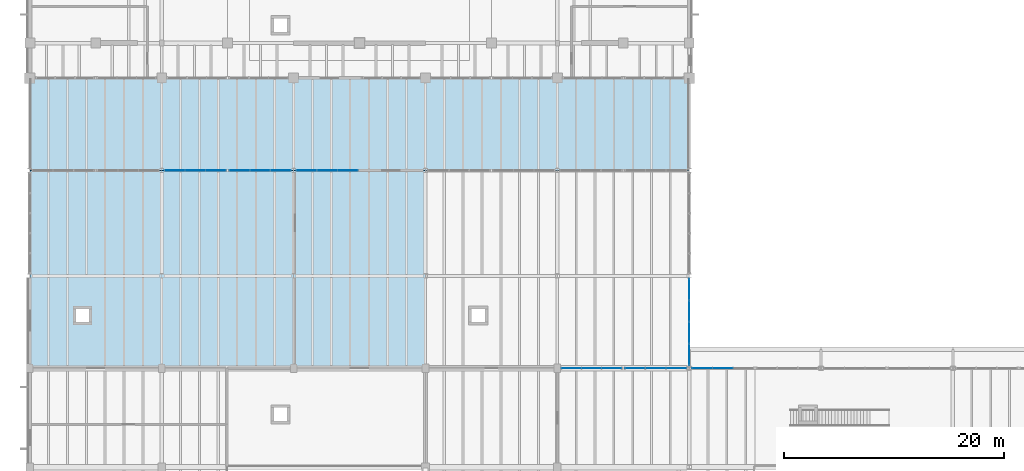
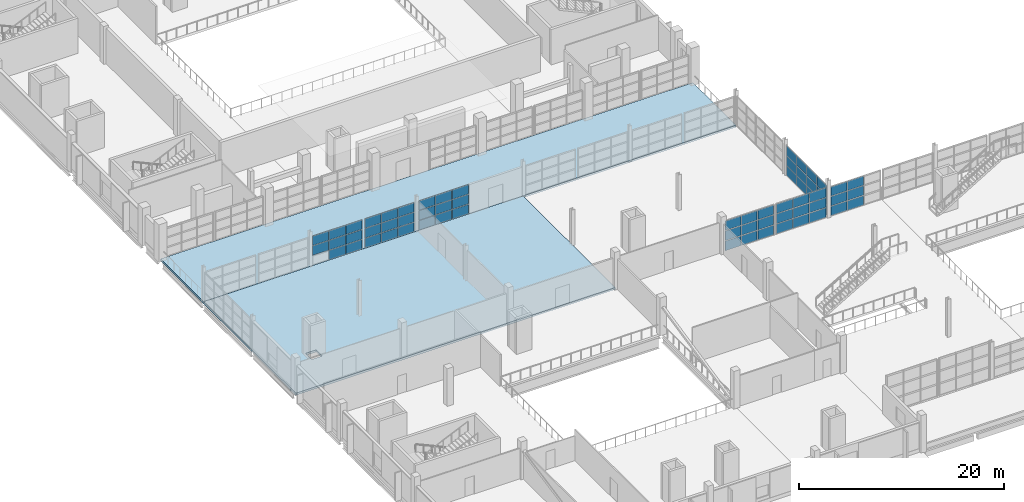
# One storey, part 76 of 114: 62 plates, 2 slabs, 7 elements without a shape of their own.
"""IFC4 building model written with IfcOpenShell, lengths in metres."""

import ifcopenshell
import ifcopenshell.guid

model = None  # the IFC model being written
_history = None  # IfcOwnerHistory: only IFC2X3 demands one
_inside = {}  # id of a spatial element -> (the spatial element, [elements in it])
_under = {}  # id of a project, library or spatial element -> (it, [spatial elements below it])
_declared = {}  # id of a project -> (the project, [libraries it declares])
_typed = {}  # id of a type object -> (the type object, [elements of that type])
_made_of = {}  # id of a material, layer set ... -> (it, [elements and type objects made of it])


def new_model(schema):
    """Start an empty IFC model of exactly this schema.

    Asked for "IFC4X3", IfcOpenShell would pick the latest addendum, in which some entities
    have other attributes; the version numbers below select the first issue.
    IFC2X3 requires an IfcOwnerHistory on every rooted entity: one is made here for all.
    """
    global model, _history
    if schema == "IFC4X3":
        model = ifcopenshell.file(schema_version=(4, 3, 0, 0))
    else:
        model = ifcopenshell.file(schema=schema)
    _inside.clear()
    _under.clear()
    _declared.clear()
    _typed.clear()
    _made_of.clear()
    _history = None
    if model.schema == "IFC2X3":
        org = make("IfcOrganization", Name="unknown")
        user = make(
            "IfcPersonAndOrganization",
            ThePerson=make("IfcPerson", FamilyName="unknown"),
            TheOrganization=org,
        )
        app = make(
            "IfcApplication",
            ApplicationDeveloper=org,
            Version="unknown",
            ApplicationFullName="unknown",
            ApplicationIdentifier="unknown",
        )
        _history = make(
            "IfcOwnerHistory",
            OwningUser=user,
            OwningApplication=app,
            ChangeAction="ADDED",
            CreationDate=0,
        )
    return model


def make(cls, **values):
    """One entity of the class cls with the attributes given. An attribute that is None is left unset."""
    return model.create_entity(
        cls, **{name: value for name, value in values.items() if value is not None}
    )


def rooted(cls, **values):
    """An entity with a GlobalId (a new one), such as an element, a storey or a relation."""
    return make(cls, GlobalId=ifcopenshell.guid.new(), OwnerHistory=_history, **values)


def si_unit(unit_type, name, prefix=None):
    """IfcSIUnit, for example si_unit("LENGTHUNIT", "METRE", prefix="MILLI")."""
    return make("IfcSIUnit", UnitType=unit_type, Prefix=prefix, Name=name)


def assignment(units):
    """IfcUnitAssignment: the units of a project."""
    return None if units is None else make("IfcUnitAssignment", Units=units)


def point(xyz):
    """IfcCartesianPoint."""
    return None if xyz is None else make("IfcCartesianPoint", Coordinates=xyz)


def direction(xyz):
    """IfcDirection."""
    return None if xyz is None else make("IfcDirection", DirectionRatios=xyz)


def frame(location, z_axis=None, x_axis=None):
    """IfcAxis2Placement3D, a coordinate frame: its origin and axes. An axis left out is left unset."""
    return make(
        "IfcAxis2Placement3D",
        Location=point(location),
        Axis=direction(z_axis),
        RefDirection=direction(x_axis),
    )


def frame_2d(location, x_axis=None):
    """IfcAxis2Placement2D, a coordinate frame in the plane: its origin and x axis."""
    return make(
        "IfcAxis2Placement2D", Location=point(location), RefDirection=direction(x_axis)
    )


def origin():
    """The frame at (0, 0, 0) with its axes left unset."""
    return frame((0.0, 0.0, 0.0))


def origin_2d():
    """The frame at (0, 0) in the plane with its x axis left unset."""
    return frame_2d((0.0, 0.0))


def place(relative_to, where):
    """IfcLocalPlacement: puts the frame where relative to a parent placement (None: the world)."""
    return make(
        "IfcLocalPlacement", PlacementRelTo=relative_to, RelativePlacement=where
    )


def context(
    kind, dimensions, precision=None, world=None, true_north=None, identifier=None
):
    """IfcGeometricRepresentationContext, for example the 3D "Model" context."""
    return make(
        "IfcGeometricRepresentationContext",
        ContextIdentifier=identifier,
        ContextType=kind,
        CoordinateSpaceDimension=dimensions,
        Precision=precision,
        WorldCoordinateSystem=world,
        TrueNorth=true_north,
    )


def subcontext(parent, identifier, kind, view, scale=None):
    """IfcGeometricRepresentationSubContext, for example "Body" below "Model"."""
    return make(
        "IfcGeometricRepresentationSubContext",
        ContextIdentifier=identifier,
        ContextType=kind,
        ParentContext=parent,
        TargetScale=scale,
        TargetView=view,
    )


def project(units=None, contexts=None):
    """IfcProject with its units and contexts."""
    return rooted(
        "IfcProject",
        Name="project",
        RepresentationContexts=contexts,
        UnitsInContext=assignment(units),
    )


def spatial(cls, under=None, at=None, **own):
    """A site, building, storey or space (cls), placed at a placement, below another one or the project."""
    s = rooted(cls, ObjectPlacement=at, **own)
    if under is not None:
        _under.setdefault(under.id(), (under, []))[1].append(s)
    return s


def polyline(points):
    """IfcPolyline through the points."""
    return make("IfcPolyline", Points=[point(p) for p in points])


def profile(cls, at=None, kind="AREA", **sizes):
    """A parametric profile (cls). Its sizes go by their IFC names, for example OverallWidth=200.0."""
    return make(cls, ProfileType=kind, Position=at, **sizes)


def rectangle(**sizes):
    """IfcRectangleProfileDef."""
    return profile("IfcRectangleProfileDef", **sizes)


def outline(outer, holes=None, kind="AREA"):
    """IfcArbitraryClosedProfileDef: a profile drawn as a closed curve; with holes, ...WithVoids."""
    if holes is None:
        return make("IfcArbitraryClosedProfileDef", ProfileType=kind, OuterCurve=outer)
    return make(
        "IfcArbitraryProfileDefWithVoids",
        ProfileType=kind,
        OuterCurve=outer,
        InnerCurves=holes,
    )


def extrude(swept, where, along, depth):
    """IfcExtrudedAreaSolid: the profile swept, set in the frame where, extruded along a direction by depth."""
    return make(
        "IfcExtrudedAreaSolid",
        SweptArea=swept,
        Position=where,
        ExtrudedDirection=direction(along),
        Depth=depth,
    )


def shape(context_of_items, identifier, shape_type, items):
    """IfcShapeRepresentation: the items that make up one representation, for example the "Body"."""
    return make(
        "IfcShapeRepresentation",
        ContextOfItems=context_of_items,
        RepresentationIdentifier=identifier,
        RepresentationType=shape_type,
        Items=items,
    )


def material(Name=None, Category=None):
    """IfcMaterial."""
    return make("IfcMaterial", Name=Name, Category=Category)


def layer(
    of_material, thickness, ventilated=None, Name=None, Category=None, Priority=None
):
    """IfcMaterialLayer: one layer of a wall or slab, of a material (None: an air gap)."""
    return make(
        "IfcMaterialLayer",
        Material=of_material,
        LayerThickness=thickness,
        IsVentilated=ventilated,
        Name=Name,
        Category=Category,
        Priority=Priority,
    )


def layer_set(layers, Name=None):
    """IfcMaterialLayerSet."""
    return make("IfcMaterialLayerSet", MaterialLayers=layers, LayerSetName=Name)


def made_of(thing, what):
    """Note that an element or type object is made of a material, layer set ...; save() writes the relation."""
    if what is not None:
        _made_of.setdefault(what.id(), (what, []))[1].append(thing)
    return thing


def type_object(cls, material=None, **own):
    """A type object (cls), such as IfcWallType, which elements share."""
    return made_of(rooted(cls, **own), material)


def element(
    cls,
    number,
    at=None,
    inside=None,
    cuts=None,
    type_object=None,
    material=None,
    context=None,
    identifier="Body",
    shape_type=None,
    held_by="IfcProductDefinitionShape",
    body=None,
    shapes=None,
    **own,
):
    """One element of the class cls, such as IfcWall. Its Tag is "e" and its number.

    at: its placement. inside: the storey or other place that contains it. cuts: it is an
    opening in that element (IfcRelVoidsElement). A single representation is given by context,
    identifier, shape_type and body (its items); several are given by shapes. held_by: the class
    of the entity that holds the representations. save() writes the other relations.
    """
    e = rooted(cls, Tag="e%d" % number, ObjectPlacement=at, **own)
    if body is not None:
        shapes = [shape(context, identifier, shape_type, body)]
    if shapes is not None:
        e.Representation = make(held_by, Representations=shapes)
    if inside is not None:
        _inside.setdefault(inside.id(), (inside, []))[1].append(e)
    if cuts is not None:
        rooted(
            "IfcRelVoidsElement", RelatingBuildingElement=cuts, RelatedOpeningElement=e
        )
    if type_object is not None:
        _typed.setdefault(type_object.id(), (type_object, []))[1].append(e)
    return made_of(e, material)


def aggregate(whole, parts):
    """IfcRelAggregates: a whole, such as a stair, and the parts it consists of."""
    return rooted("IfcRelAggregates", RelatingObject=whole, RelatedObjects=parts)


def save(model, path):
    """Write the relations noted so far, then the file.

    IfcRelAggregates (storeys below a building ...), IfcRelContainedInSpatialStructure (elements
    in a storey), IfcRelDefinesByType, IfcRelAssociatesMaterial and IfcRelDeclares: one each for
    every whole, place, type object, material and project.
    """
    for whole, parts in _under.values():
        aggregate(whole, parts)
    for where, things in _inside.values():
        rooted(
            "IfcRelContainedInSpatialStructure",
            RelatedElements=things,
            RelatingStructure=where,
        )
    for kind, things in _typed.values():
        rooted("IfcRelDefinesByType", RelatedObjects=things, RelatingType=kind)
    for what, things in _made_of.values():
        rooted("IfcRelAssociatesMaterial", RelatedObjects=things, RelatingMaterial=what)
    for by, libraries in _declared.values():
        rooted("IfcRelDeclares", RelatingContext=by, RelatedDefinitions=libraries)
    model.write(path)


model = new_model("IFC4")

# Units and contexts
model_context = context("Model", 3, precision=1e-05, world=origin(), true_north=direction((0.0, 1.0)))
body_context = subcontext(model_context, "Body", "Model", "MODEL_VIEW")
ifc_project = project(units=[si_unit("LENGTHUNIT", "METRE"), si_unit("AREAUNIT", "SQUARE_METRE"), si_unit("VOLUMEUNIT", "CUBIC_METRE"), si_unit("PLANEANGLEUNIT", "RADIAN"), si_unit("MASSUNIT", "GRAM", prefix="KILO")], contexts=[model_context])

# Site, building, storey
site_placement = place(None, origin())
site = spatial("IfcSite", under=ifc_project, at=site_placement, CompositionType="ELEMENT")
building_placement = place(site_placement, origin())
building = spatial("IfcBuilding", under=site, at=building_placement, Name="Kelmvaro Bay Concert Hall", CompositionType="ELEMENT")
storey_placement = place(building_placement, frame((0.0, 0.0, 4.800048828125)))
storey = spatial("IfcBuildingStorey", under=building, at=storey_placement, Name="L01", CompositionType="ELEMENT", Elevation=4.800048828125)

# Curtain wall, plates
ifc_material_1 = material(Name="Anodised Aluminium and Low-E Insulated Glazing", Category="aluminium")
curtain_wall_type_1 = type_object("IfcCurtainWallType", Name="Mezzanine Concourse Curtain Wall 4100", PredefinedType="USERDEFINED", material=ifc_material_1)
curtain_wall_1_placement = place(storey_placement, origin())
curtain_wall_1 = element("IfcCurtainWall", 1, at=curtain_wall_1_placement, inside=storey, type_object=curtain_wall_type_1, Name="Unitised Curtain Wall CW-L01-066", ObjectType="UNITISED GLAZING", PredefinedType="USERDEFINED")
ifc_material_2 = material(Name="Laminated Low-E Insulated Glass", Category="glass")
ifc_layer_1 = layer(ifc_material_2, 1.85009765625)
ifc_layer_set_1 = layer_set([ifc_layer_1], Name="Laminated Low-E Insulated Glass")
plate_type_1 = type_object("IfcPlateType", Name="Courtyard Clear Low-E Glazing Panel 22", PredefinedType="CURTAIN_PANEL", material=ifc_layer_set_1)
plate_1_placement = place(storey_placement, frame((49.2724609375, 39.0, 0.032470703125), z_axis=(0.0, 0.0, 1.0), x_axis=(1.0, 0.0, 0.0)))
plate_1 = element("IfcPlate", 2, at=plate_1_placement, type_object=plate_type_1, Name="CW-L01-066 Insulated Glazing Panel 01-1", PredefinedType="CURTAIN_PANEL", context=body_context, shape_type="SweptSolid", body=[
    extrude(rectangle(XDim=1.77001953125, YDim=0.02197265625, at=origin_2d()), origin(), (0.0, 0.0, 1.0), 1.142578125),
])
plate_2_placement = place(storey_placement, frame((49.2724609375, 39.0, 1.240234375), z_axis=(0.0, 0.0, 1.0), x_axis=(1.0, 0.0, 0.0)))
plate_2 = element("IfcPlate", 3, at=plate_2_placement, type_object=plate_type_1, Name="CW-L01-066 Insulated Glazing Panel 01-2", PredefinedType="CURTAIN_PANEL", context=body_context, shape_type="SweptSolid", body=[
    extrude(rectangle(XDim=1.77001953125, YDim=0.02197265625, at=origin_2d()), origin(), (0.0, 0.0, 1.0), 1.142578125),
])
plate_3_placement = place(storey_placement, frame((49.2724609375, 39.0, 2.44775390625), z_axis=(0.0, 0.0, 1.0), x_axis=(1.0, 0.0, 0.0)))
plate_3 = element("IfcPlate", 4, at=plate_3_placement, type_object=plate_type_1, Name="CW-L01-066 Insulated Glazing Panel 01-3", PredefinedType="CURTAIN_PANEL", context=body_context, shape_type="SweptSolid", body=[
    extrude(rectangle(XDim=1.77001953125, YDim=0.02197265625, at=origin_2d()), origin(), (0.0, 0.0, 1.0), 1.142578125),
])
plate_4_placement = place(storey_placement, frame((51.107421875, 39.0, 0.032470703125), z_axis=(0.0, 0.0, 1.0), x_axis=(1.0, 0.0, 0.0)))
plate_4 = element("IfcPlate", 5, at=plate_4_placement, type_object=plate_type_1, Name="CW-L01-066 Insulated Glazing Panel 02-1", PredefinedType="CURTAIN_PANEL", context=body_context, shape_type="SweptSolid", body=[
    extrude(rectangle(XDim=1.77001953125, YDim=0.02197265625, at=origin_2d()), origin(), (0.0, 0.0, 1.0), 1.142578125),
])
plate_5_placement = place(storey_placement, frame((51.107421875, 39.0, 1.240234375), z_axis=(0.0, 0.0, 1.0), x_axis=(1.0, 0.0, 0.0)))
plate_5 = element("IfcPlate", 6, at=plate_5_placement, type_object=plate_type_1, Name="CW-L01-066 Insulated Glazing Panel 02-2", PredefinedType="CURTAIN_PANEL", context=body_context, shape_type="SweptSolid", body=[
    extrude(rectangle(XDim=1.77001953125, YDim=0.02197265625, at=origin_2d()), origin(), (0.0, 0.0, 1.0), 1.142578125),
])
plate_6_placement = place(storey_placement, frame((51.107421875, 39.0, 2.44775390625), z_axis=(0.0, 0.0, 1.0), x_axis=(1.0, 0.0, 0.0)))
plate_6 = element("IfcPlate", 7, at=plate_6_placement, type_object=plate_type_1, Name="CW-L01-066 Insulated Glazing Panel 02-3", PredefinedType="CURTAIN_PANEL", context=body_context, shape_type="SweptSolid", body=[
    extrude(rectangle(XDim=1.77001953125, YDim=0.02197265625, at=origin_2d()), origin(), (0.0, 0.0, 1.0), 1.142578125),
])
plate_7_placement = place(storey_placement, frame((52.9423828125, 39.0, 0.032470703125), z_axis=(0.0, 0.0, 1.0), x_axis=(1.0, 0.0, 0.0)))
plate_7 = element("IfcPlate", 8, at=plate_7_placement, type_object=plate_type_1, Name="CW-L01-066 Insulated Glazing Panel 03-1", PredefinedType="CURTAIN_PANEL", context=body_context, shape_type="SweptSolid", body=[
    extrude(rectangle(XDim=1.77001953125, YDim=0.02197265625, at=origin_2d()), origin(), (0.0, 0.0, 1.0), 1.142578125),
])
plate_8_placement = place(storey_placement, frame((52.9423828125, 39.0, 1.240234375), z_axis=(0.0, 0.0, 1.0), x_axis=(1.0, 0.0, 0.0)))
plate_8 = element("IfcPlate", 9, at=plate_8_placement, type_object=plate_type_1, Name="CW-L01-066 Insulated Glazing Panel 03-2", PredefinedType="CURTAIN_PANEL", context=body_context, shape_type="SweptSolid", body=[
    extrude(rectangle(XDim=1.77001953125, YDim=0.02197265625, at=origin_2d()), origin(), (0.0, 0.0, 1.0), 1.142578125),
])
plate_9_placement = place(storey_placement, frame((52.9423828125, 39.0, 2.44775390625), z_axis=(0.0, 0.0, 1.0), x_axis=(1.0, 0.0, 0.0)))
plate_9 = element("IfcPlate", 10, at=plate_9_placement, type_object=plate_type_1, Name="CW-L01-066 Insulated Glazing Panel 03-3", PredefinedType="CURTAIN_PANEL", context=body_context, shape_type="SweptSolid", body=[
    extrude(rectangle(XDim=1.77001953125, YDim=0.02197265625, at=origin_2d()), origin(), (0.0, 0.0, 1.0), 1.142578125),
])
aggregate(curtain_wall_1, [plate_1, plate_2, plate_3, plate_4, plate_5, plate_6, plate_7, plate_8, plate_9])

curtain_wall_2_placement = place(storey_placement, origin())
curtain_wall_2 = element("IfcCurtainWall", 11, at=curtain_wall_2_placement, inside=storey, type_object=curtain_wall_type_1, Name="Unitised Curtain Wall CW-L01-067", ObjectType="UNITISED GLAZING", PredefinedType="USERDEFINED")
plate_10_placement = place(storey_placement, frame((55.07421875, 39.0, 0.032470703125), z_axis=(0.0, 0.0, 1.0), x_axis=(1.0, 0.0, 0.0)))
plate_10 = element("IfcPlate", 12, at=plate_10_placement, type_object=plate_type_1, Name="CW-L01-067 Insulated Glazing Panel 01-1", PredefinedType="CURTAIN_PANEL", context=body_context, shape_type="SweptSolid", body=[
    extrude(rectangle(XDim=1.803466796875, YDim=0.02197265625, at=origin_2d()), origin(), (0.0, 0.0, 1.0), 1.142578125),
])
plate_11_placement = place(storey_placement, frame((55.07421875, 39.0, 1.240234375), z_axis=(0.0, 0.0, 1.0), x_axis=(1.0, 0.0, 0.0)))
plate_11 = element("IfcPlate", 13, at=plate_11_placement, type_object=plate_type_1, Name="CW-L01-067 Insulated Glazing Panel 01-2", PredefinedType="CURTAIN_PANEL", context=body_context, shape_type="SweptSolid", body=[
    extrude(rectangle(XDim=1.803466796875, YDim=0.02197265625, at=origin_2d()), origin(), (0.0, 0.0, 1.0), 1.142578125),
])
plate_12_placement = place(storey_placement, frame((55.07421875, 39.0, 2.44775390625), z_axis=(0.0, 0.0, 1.0), x_axis=(1.0, 0.0, 0.0)))
plate_12 = element("IfcPlate", 14, at=plate_12_placement, type_object=plate_type_1, Name="CW-L01-067 Insulated Glazing Panel 01-3", PredefinedType="CURTAIN_PANEL", context=body_context, shape_type="SweptSolid", body=[
    extrude(rectangle(XDim=1.803466796875, YDim=0.02197265625, at=origin_2d()), origin(), (0.0, 0.0, 1.0), 1.142578125),
])
plate_13_placement = place(storey_placement, frame((56.94287109375, 39.0, 0.032470703125), z_axis=(0.0, 0.0, 1.0), x_axis=(1.0, 0.0, 0.0)))
plate_13 = element("IfcPlate", 15, at=plate_13_placement, type_object=plate_type_1, Name="CW-L01-067 Insulated Glazing Panel 02-1", PredefinedType="CURTAIN_PANEL", context=body_context, shape_type="SweptSolid", body=[
    extrude(rectangle(XDim=1.803466796875, YDim=0.02197265625, at=origin_2d()), origin(), (0.0, 0.0, 1.0), 1.142578125),
])
plate_14_placement = place(storey_placement, frame((56.94287109375, 39.0, 1.240234375), z_axis=(0.0, 0.0, 1.0), x_axis=(1.0, 0.0, 0.0)))
plate_14 = element("IfcPlate", 16, at=plate_14_placement, type_object=plate_type_1, Name="CW-L01-067 Insulated Glazing Panel 02-2", PredefinedType="CURTAIN_PANEL", context=body_context, shape_type="SweptSolid", body=[
    extrude(rectangle(XDim=1.803466796875, YDim=0.02197265625, at=origin_2d()), origin(), (0.0, 0.0, 1.0), 1.142578125),
])
plate_15_placement = place(storey_placement, frame((56.94287109375, 39.0, 2.44775390625), z_axis=(0.0, 0.0, 1.0), x_axis=(1.0, 0.0, 0.0)))
plate_15 = element("IfcPlate", 17, at=plate_15_placement, type_object=plate_type_1, Name="CW-L01-067 Insulated Glazing Panel 02-3", PredefinedType="CURTAIN_PANEL", context=body_context, shape_type="SweptSolid", body=[
    extrude(rectangle(XDim=1.803466796875, YDim=0.02197265625, at=origin_2d()), origin(), (0.0, 0.0, 1.0), 1.142578125),
])
plate_16_placement = place(storey_placement, frame((58.811279296875, 39.0, 0.032470703125), z_axis=(0.0, 0.0, 1.0), x_axis=(1.0, 0.0, 0.0)))
plate_16 = element("IfcPlate", 18, at=plate_16_placement, type_object=plate_type_1, Name="CW-L01-067 Insulated Glazing Panel 03-1", PredefinedType="CURTAIN_PANEL", context=body_context, shape_type="SweptSolid", body=[
    extrude(rectangle(XDim=1.803466796875, YDim=0.02197265625, at=origin_2d()), origin(), (0.0, 0.0, 1.0), 1.142578125),
])
plate_17_placement = place(storey_placement, frame((58.811279296875, 39.0, 1.240234375), z_axis=(0.0, 0.0, 1.0), x_axis=(1.0, 0.0, 0.0)))
plate_17 = element("IfcPlate", 19, at=plate_17_placement, type_object=plate_type_1, Name="CW-L01-067 Insulated Glazing Panel 03-2", PredefinedType="CURTAIN_PANEL", context=body_context, shape_type="SweptSolid", body=[
    extrude(rectangle(XDim=1.803466796875, YDim=0.02197265625, at=origin_2d()), origin(), (0.0, 0.0, 1.0), 1.142578125),
])
plate_18_placement = place(storey_placement, frame((58.811279296875, 39.0, 2.44775390625), z_axis=(0.0, 0.0, 1.0), x_axis=(1.0, 0.0, 0.0)))
plate_18 = element("IfcPlate", 20, at=plate_18_placement, type_object=plate_type_1, Name="CW-L01-067 Insulated Glazing Panel 03-3", PredefinedType="CURTAIN_PANEL", context=body_context, shape_type="SweptSolid", body=[
    extrude(rectangle(XDim=1.803466796875, YDim=0.02197265625, at=origin_2d()), origin(), (0.0, 0.0, 1.0), 1.142578125),
])
aggregate(curtain_wall_2, [plate_10, plate_11, plate_12, plate_13, plate_14, plate_15, plate_16, plate_17, plate_18])

curtain_wall_3_placement = place(storey_placement, origin())
curtain_wall_3 = element("IfcCurtainWall", 21, at=curtain_wall_3_placement, inside=storey, type_object=curtain_wall_type_1, Name="Unitised Curtain Wall CW-L01-068", ObjectType="UNITISED GLAZING", PredefinedType="USERDEFINED")
plate_19_placement = place(storey_placement, frame((61.188720703125, 39.0, 0.0322265625), z_axis=(0.0, 0.0, 1.0), x_axis=(1.0, 0.0, 0.0)))
plate_19 = element("IfcPlate", 22, at=plate_19_placement, type_object=plate_type_1, Name="CW-L01-068 Insulated Glazing Panel 01-1", PredefinedType="CURTAIN_PANEL", context=body_context, shape_type="SweptSolid", body=[
    extrude(rectangle(XDim=1.803466796875, YDim=0.02197265625, at=origin_2d()), origin(), (0.0, 0.0, 1.0), 1.114013671875),
])
plate_20_placement = place(storey_placement, frame((61.188720703125, 39.0, 1.21142578125), z_axis=(0.0, 0.0, 1.0), x_axis=(1.0, 0.0, 0.0)))
plate_20 = element("IfcPlate", 23, at=plate_20_placement, type_object=plate_type_1, Name="CW-L01-068 Insulated Glazing Panel 01-2", PredefinedType="CURTAIN_PANEL", context=body_context, shape_type="SweptSolid", body=[
    extrude(rectangle(XDim=1.803466796875, YDim=0.02197265625, at=origin_2d()), origin(), (0.0, 0.0, 1.0), 1.114013671875),
])
plate_21_placement = place(storey_placement, frame((61.188720703125, 39.0, 2.390625), z_axis=(0.0, 0.0, 1.0), x_axis=(1.0, 0.0, 0.0)))
plate_21 = element("IfcPlate", 24, at=plate_21_placement, type_object=plate_type_1, Name="CW-L01-068 Insulated Glazing Panel 01-3", PredefinedType="CURTAIN_PANEL", context=body_context, shape_type="SweptSolid", body=[
    extrude(rectangle(XDim=1.803466796875, YDim=0.02197265625, at=origin_2d()), origin(), (0.0, 0.0, 1.0), 1.114013671875),
])
plate_22_placement = place(storey_placement, frame((63.05712890625, 39.0, 0.0322265625), z_axis=(0.0, 0.0, 1.0), x_axis=(1.0, 0.0, 0.0)))
plate_22 = element("IfcPlate", 25, at=plate_22_placement, type_object=plate_type_1, Name="CW-L01-068 Insulated Glazing Panel 02-1", PredefinedType="CURTAIN_PANEL", context=body_context, shape_type="SweptSolid", body=[
    extrude(rectangle(XDim=1.803466796875, YDim=0.02197265625, at=origin_2d()), origin(), (0.0, 0.0, 1.0), 1.114013671875),
])
plate_23_placement = place(storey_placement, frame((63.05712890625, 39.0, 1.21142578125), z_axis=(0.0, 0.0, 1.0), x_axis=(1.0, 0.0, 0.0)))
plate_23 = element("IfcPlate", 26, at=plate_23_placement, type_object=plate_type_1, Name="CW-L01-068 Insulated Glazing Panel 02-2", PredefinedType="CURTAIN_PANEL", context=body_context, shape_type="SweptSolid", body=[
    extrude(rectangle(XDim=1.803466796875, YDim=0.02197265625, at=origin_2d()), origin(), (0.0, 0.0, 1.0), 1.114013671875),
])
plate_24_placement = place(storey_placement, frame((63.05712890625, 39.0, 2.390625), z_axis=(0.0, 0.0, 1.0), x_axis=(1.0, 0.0, 0.0)))
plate_24 = element("IfcPlate", 27, at=plate_24_placement, type_object=plate_type_1, Name="CW-L01-068 Insulated Glazing Panel 02-3", PredefinedType="CURTAIN_PANEL", context=body_context, shape_type="SweptSolid", body=[
    extrude(rectangle(XDim=1.803466796875, YDim=0.02197265625, at=origin_2d()), origin(), (0.0, 0.0, 1.0), 1.114013671875),
])
aggregate(curtain_wall_3, [plate_19, plate_20, plate_21, plate_22, plate_23, plate_24])

ifc_material_3 = material(Name="Anodised Aluminium and Low-E Insulated Glazing", Category="aluminium")
curtain_wall_type_2 = type_object("IfcCurtainWallType", Name="West Link Courtyard Curtain Wall 4000", PredefinedType="USERDEFINED", material=ifc_material_3)
curtain_wall_4_placement = place(storey_placement, origin())
curtain_wall_4 = element("IfcCurtainWall", 28, at=curtain_wall_4_placement, inside=storey, type_object=curtain_wall_type_2, Name="Unitised Curtain Wall CW-L01-130", ObjectType="UNITISED GLAZING", PredefinedType="USERDEFINED")
ifc_material_4 = material(Name="Laminated Low-E Insulated Glass", Category="glass")
ifc_layer_2 = layer(ifc_material_4, 1.85009765625)
ifc_layer_set_2 = layer_set([ifc_layer_2], Name="Laminated Low-E Insulated Glass")
plate_type_2 = type_object("IfcPlateType", Name="Curtain Glazing Panel Low-E 32", PredefinedType="CURTAIN_PANEL", material=ifc_layer_set_2)
plate_25_placement = place(storey_placement, frame((60.0, 46.169677734375, 0.03271484375), z_axis=(0.0, 0.0, 1.0), x_axis=(0.0, -1.0, 0.0)))
plate_25 = element("IfcPlate", 29, at=plate_25_placement, type_object=plate_type_2, Name="CW-L01-130 Insulated Glazing Panel 01-1", PredefinedType="CURTAIN_PANEL", context=body_context, shape_type="SweptSolid", body=[
    extrude(rectangle(XDim=1.91259765625, YDim=0.031982421875, at=origin_2d()), origin(), (0.0, 0.0, 1.0), 1.144287109375),
])
plate_26_placement = place(storey_placement, frame((60.0, 46.169677734375, 1.24169921875), z_axis=(0.0, 0.0, 1.0), x_axis=(0.0, -1.0, 0.0)))
plate_26 = element("IfcPlate", 30, at=plate_26_placement, type_object=plate_type_2, Name="CW-L01-130 Insulated Glazing Panel 01-2", PredefinedType="CURTAIN_PANEL", context=body_context, shape_type="SweptSolid", body=[
    extrude(rectangle(XDim=1.91259765625, YDim=0.031982421875, at=origin_2d()), origin(), (0.0, 0.0, 1.0), 1.144287109375),
])
plate_27_placement = place(storey_placement, frame((60.0, 46.169677734375, 2.451171875), z_axis=(0.0, 0.0, 1.0), x_axis=(0.0, -1.0, 0.0)))
plate_27 = element("IfcPlate", 31, at=plate_27_placement, type_object=plate_type_2, Name="CW-L01-130 Insulated Glazing Panel 01-3", PredefinedType="CURTAIN_PANEL", context=body_context, shape_type="SweptSolid", body=[
    extrude(rectangle(XDim=1.91259765625, YDim=0.031982421875, at=origin_2d()), origin(), (0.0, 0.0, 1.0), 1.144287109375),
])
plate_28_placement = place(storey_placement, frame((60.0, 44.192138671875, 0.03271484375), z_axis=(0.0, 0.0, 1.0), x_axis=(0.0, -1.0, 0.0)))
plate_28 = element("IfcPlate", 32, at=plate_28_placement, type_object=plate_type_2, Name="CW-L01-130 Insulated Glazing Panel 02-1", PredefinedType="CURTAIN_PANEL", context=body_context, shape_type="SweptSolid", body=[
    extrude(rectangle(XDim=1.91259765625, YDim=0.031982421875, at=origin_2d()), origin(), (0.0, 0.0, 1.0), 1.144287109375),
])
plate_29_placement = place(storey_placement, frame((60.0, 44.192138671875, 1.24169921875), z_axis=(0.0, 0.0, 1.0), x_axis=(0.0, -1.0, 0.0)))
plate_29 = element("IfcPlate", 33, at=plate_29_placement, type_object=plate_type_2, Name="CW-L01-130 Insulated Glazing Panel 02-2", PredefinedType="CURTAIN_PANEL", context=body_context, shape_type="SweptSolid", body=[
    extrude(rectangle(XDim=1.91259765625, YDim=0.031982421875, at=origin_2d()), origin(), (0.0, 0.0, 1.0), 1.144287109375),
])
plate_30_placement = place(storey_placement, frame((60.0, 44.192138671875, 2.451171875), z_axis=(0.0, 0.0, 1.0), x_axis=(0.0, -1.0, 0.0)))
plate_30 = element("IfcPlate", 34, at=plate_30_placement, type_object=plate_type_2, Name="CW-L01-130 Insulated Glazing Panel 02-3", PredefinedType="CURTAIN_PANEL", context=body_context, shape_type="SweptSolid", body=[
    extrude(rectangle(XDim=1.91259765625, YDim=0.031982421875, at=origin_2d()), origin(), (0.0, 0.0, 1.0), 1.144287109375),
])
plate_31_placement = place(storey_placement, frame((60.0, 42.21435546875, 0.03271484375), z_axis=(0.0, 0.0, 1.0), x_axis=(0.0, -1.0, 0.0)))
plate_31 = element("IfcPlate", 35, at=plate_31_placement, type_object=plate_type_2, Name="CW-L01-130 Insulated Glazing Panel 03-1", PredefinedType="CURTAIN_PANEL", context=body_context, shape_type="SweptSolid", body=[
    extrude(rectangle(XDim=1.91259765625, YDim=0.031982421875, at=origin_2d()), origin(), (0.0, 0.0, 1.0), 1.144287109375),
])
plate_32_placement = place(storey_placement, frame((60.0, 42.21435546875, 1.24169921875), z_axis=(0.0, 0.0, 1.0), x_axis=(0.0, -1.0, 0.0)))
plate_32 = element("IfcPlate", 36, at=plate_32_placement, type_object=plate_type_2, Name="CW-L01-130 Insulated Glazing Panel 03-2", PredefinedType="CURTAIN_PANEL", context=body_context, shape_type="SweptSolid", body=[
    extrude(rectangle(XDim=1.91259765625, YDim=0.031982421875, at=origin_2d()), origin(), (0.0, 0.0, 1.0), 1.144287109375),
])
plate_33_placement = place(storey_placement, frame((60.0, 42.21435546875, 2.451171875), z_axis=(0.0, 0.0, 1.0), x_axis=(0.0, -1.0, 0.0)))
plate_33 = element("IfcPlate", 37, at=plate_33_placement, type_object=plate_type_2, Name="CW-L01-130 Insulated Glazing Panel 03-3", PredefinedType="CURTAIN_PANEL", context=body_context, shape_type="SweptSolid", body=[
    extrude(rectangle(XDim=1.91259765625, YDim=0.031982421875, at=origin_2d()), origin(), (0.0, 0.0, 1.0), 1.144287109375),
])
plate_34_placement = place(storey_placement, frame((60.0, 40.23681640625, 0.03271484375), z_axis=(0.0, 0.0, 1.0), x_axis=(0.0, -1.0, 0.0)))
plate_34 = element("IfcPlate", 38, at=plate_34_placement, type_object=plate_type_2, Name="CW-L01-130 Insulated Glazing Panel 04-1", PredefinedType="CURTAIN_PANEL", context=body_context, shape_type="SweptSolid", body=[
    extrude(rectangle(XDim=1.91259765625, YDim=0.031982421875, at=origin_2d()), origin(), (0.0, 0.0, 1.0), 1.144287109375),
])
plate_35_placement = place(storey_placement, frame((60.0, 40.23681640625, 1.24169921875), z_axis=(0.0, 0.0, 1.0), x_axis=(0.0, -1.0, 0.0)))
plate_35 = element("IfcPlate", 39, at=plate_35_placement, type_object=plate_type_2, Name="CW-L01-130 Insulated Glazing Panel 04-2", PredefinedType="CURTAIN_PANEL", context=body_context, shape_type="SweptSolid", body=[
    extrude(rectangle(XDim=1.91259765625, YDim=0.031982421875, at=origin_2d()), origin(), (0.0, 0.0, 1.0), 1.144287109375),
])
plate_36_placement = place(storey_placement, frame((60.0, 40.23681640625, 2.451171875), z_axis=(0.0, 0.0, 1.0), x_axis=(0.0, -1.0, 0.0)))
plate_36 = element("IfcPlate", 40, at=plate_36_placement, type_object=plate_type_2, Name="CW-L01-130 Insulated Glazing Panel 04-3", PredefinedType="CURTAIN_PANEL", context=body_context, shape_type="SweptSolid", body=[
    extrude(rectangle(XDim=1.91259765625, YDim=0.031982421875, at=origin_2d()), origin(), (0.0, 0.0, 1.0), 1.144287109375),
])
aggregate(curtain_wall_4, [plate_25, plate_26, plate_27, plate_28, plate_29, plate_30, plate_31, plate_32, plate_33, plate_34, plate_35, plate_36])

curtain_wall_5_placement = place(storey_placement, origin())
curtain_wall_5 = element("IfcCurtainWall", 41, at=curtain_wall_5_placement, inside=storey, type_object=curtain_wall_type_2, Name="Unitised Curtain Wall CW-L01-135", ObjectType="UNITISED GLAZING", PredefinedType="USERDEFINED")
plate_37_placement = place(storey_placement, frame((13.177978515625, 57.0, 1.21484375), z_axis=(0.0, 0.0, 1.0), x_axis=(1.0, 0.0, 0.0)))
plate_37 = element("IfcPlate", 42, at=plate_37_placement, type_object=plate_type_2, Name="CW-L01-135 Insulated Glazing Panel 01-2", PredefinedType="CURTAIN_PANEL", context=body_context, shape_type="SweptSolid", body=[
    extrude(rectangle(XDim=1.807861328125, YDim=0.031982421875, at=origin_2d()), origin(), (0.0, 0.0, 1.0), 1.117431640625),
])
plate_38_placement = place(storey_placement, frame((13.177978515625, 57.0, 2.397216796875), z_axis=(0.0, 0.0, 1.0), x_axis=(1.0, 0.0, 0.0)))
plate_38 = element("IfcPlate", 43, at=plate_38_placement, type_object=plate_type_2, Name="CW-L01-135 Insulated Glazing Panel 01-3", PredefinedType="CURTAIN_PANEL", context=body_context, shape_type="SweptSolid", body=[
    extrude(rectangle(XDim=1.807861328125, YDim=0.031982421875, at=origin_2d()), origin(), (0.0, 0.0, 1.0), 1.1171875),
])
plate_39_placement = place(storey_placement, frame((15.05078125, 57.0, 0.032470703125), z_axis=(0.0, 0.0, 1.0), x_axis=(1.0, 0.0, 0.0)))
plate_39 = element("IfcPlate", 44, at=plate_39_placement, type_object=plate_type_2, Name="CW-L01-135 Insulated Glazing Panel 02-1", PredefinedType="CURTAIN_PANEL", context=body_context, shape_type="SweptSolid", body=[
    extrude(rectangle(XDim=1.807861328125, YDim=0.031982421875, at=origin_2d()), origin(), (0.0, 0.0, 1.0), 1.1171875),
])
plate_40_placement = place(storey_placement, frame((15.05078125, 57.0, 1.21484375), z_axis=(0.0, 0.0, 1.0), x_axis=(1.0, 0.0, 0.0)))
plate_40 = element("IfcPlate", 45, at=plate_40_placement, type_object=plate_type_2, Name="CW-L01-135 Insulated Glazing Panel 02-2", PredefinedType="CURTAIN_PANEL", context=body_context, shape_type="SweptSolid", body=[
    extrude(rectangle(XDim=1.807861328125, YDim=0.031982421875, at=origin_2d()), origin(), (0.0, 0.0, 1.0), 1.117431640625),
])
plate_41_placement = place(storey_placement, frame((15.05078125, 57.0, 2.397216796875), z_axis=(0.0, 0.0, 1.0), x_axis=(1.0, 0.0, 0.0)))
plate_41 = element("IfcPlate", 46, at=plate_41_placement, type_object=plate_type_2, Name="CW-L01-135 Insulated Glazing Panel 02-3", PredefinedType="CURTAIN_PANEL", context=body_context, shape_type="SweptSolid", body=[
    extrude(rectangle(XDim=1.807861328125, YDim=0.031982421875, at=origin_2d()), origin(), (0.0, 0.0, 1.0), 1.1171875),
])
plate_42_placement = place(storey_placement, frame((16.923583984375, 57.0, 0.032470703125), z_axis=(0.0, 0.0, 1.0), x_axis=(1.0, 0.0, 0.0)))
plate_42 = element("IfcPlate", 47, at=plate_42_placement, type_object=plate_type_2, Name="CW-L01-135 Insulated Glazing Panel 03-1", PredefinedType="CURTAIN_PANEL", context=body_context, shape_type="SweptSolid", body=[
    extrude(rectangle(XDim=1.807861328125, YDim=0.031982421875, at=origin_2d()), origin(), (0.0, 0.0, 1.0), 1.1171875),
])
plate_43_placement = place(storey_placement, frame((16.923583984375, 57.0, 1.21484375), z_axis=(0.0, 0.0, 1.0), x_axis=(1.0, 0.0, 0.0)))
plate_43 = element("IfcPlate", 48, at=plate_43_placement, type_object=plate_type_2, Name="CW-L01-135 Insulated Glazing Panel 03-2", PredefinedType="CURTAIN_PANEL", context=body_context, shape_type="SweptSolid", body=[
    extrude(rectangle(XDim=1.807861328125, YDim=0.031982421875, at=origin_2d()), origin(), (0.0, 0.0, 1.0), 1.117431640625),
])
plate_44_placement = place(storey_placement, frame((16.923583984375, 57.0, 2.397216796875), z_axis=(0.0, 0.0, 1.0), x_axis=(1.0, 0.0, 0.0)))
plate_44 = element("IfcPlate", 49, at=plate_44_placement, type_object=plate_type_2, Name="CW-L01-135 Insulated Glazing Panel 03-3", PredefinedType="CURTAIN_PANEL", context=body_context, shape_type="SweptSolid", body=[
    extrude(rectangle(XDim=1.807861328125, YDim=0.031982421875, at=origin_2d()), origin(), (0.0, 0.0, 1.0), 1.1171875),
])
aggregate(curtain_wall_5, [plate_37, plate_38, plate_39, plate_40, plate_41, plate_42, plate_43, plate_44])

curtain_wall_6_placement = place(storey_placement, origin())
curtain_wall_6 = element("IfcCurtainWall", 50, at=curtain_wall_6_placement, inside=storey, type_object=curtain_wall_type_2, Name="Unitised Curtain Wall CW-L01-136", ObjectType="UNITISED GLAZING", PredefinedType="USERDEFINED")
plate_45_placement = place(storey_placement, frame((19.076416015625, 57.0, 0.032470703125), z_axis=(0.0, 0.0, 1.0), x_axis=(1.0, 0.0, 0.0)))
plate_45 = element("IfcPlate", 51, at=plate_45_placement, type_object=plate_type_2, Name="CW-L01-136 Insulated Glazing Panel 01-1", PredefinedType="CURTAIN_PANEL", context=body_context, shape_type="SweptSolid", body=[
    extrude(rectangle(XDim=1.807861328125, YDim=0.031982421875, at=origin_2d()), origin(), (0.0, 0.0, 1.0), 1.1171875),
])
plate_46_placement = place(storey_placement, frame((19.076416015625, 57.0, 1.21484375), z_axis=(0.0, 0.0, 1.0), x_axis=(1.0, 0.0, 0.0)))
plate_46 = element("IfcPlate", 52, at=plate_46_placement, type_object=plate_type_2, Name="CW-L01-136 Insulated Glazing Panel 01-2", PredefinedType="CURTAIN_PANEL", context=body_context, shape_type="SweptSolid", body=[
    extrude(rectangle(XDim=1.807861328125, YDim=0.031982421875, at=origin_2d()), origin(), (0.0, 0.0, 1.0), 1.117431640625),
])
plate_47_placement = place(storey_placement, frame((19.076416015625, 57.0, 2.397216796875), z_axis=(0.0, 0.0, 1.0), x_axis=(1.0, 0.0, 0.0)))
plate_47 = element("IfcPlate", 53, at=plate_47_placement, type_object=plate_type_2, Name="CW-L01-136 Insulated Glazing Panel 01-3", PredefinedType="CURTAIN_PANEL", context=body_context, shape_type="SweptSolid", body=[
    extrude(rectangle(XDim=1.807861328125, YDim=0.031982421875, at=origin_2d()), origin(), (0.0, 0.0, 1.0), 1.1171875),
])
plate_48_placement = place(storey_placement, frame((20.94921875, 57.0, 0.032470703125), z_axis=(0.0, 0.0, 1.0), x_axis=(1.0, 0.0, 0.0)))
plate_48 = element("IfcPlate", 54, at=plate_48_placement, type_object=plate_type_2, Name="CW-L01-136 Insulated Glazing Panel 02-1", PredefinedType="CURTAIN_PANEL", context=body_context, shape_type="SweptSolid", body=[
    extrude(rectangle(XDim=1.807861328125, YDim=0.031982421875, at=origin_2d()), origin(), (0.0, 0.0, 1.0), 1.1171875),
])
plate_49_placement = place(storey_placement, frame((20.94921875, 57.0, 1.21484375), z_axis=(0.0, 0.0, 1.0), x_axis=(1.0, 0.0, 0.0)))
plate_49 = element("IfcPlate", 55, at=plate_49_placement, type_object=plate_type_2, Name="CW-L01-136 Insulated Glazing Panel 02-2", PredefinedType="CURTAIN_PANEL", context=body_context, shape_type="SweptSolid", body=[
    extrude(rectangle(XDim=1.807861328125, YDim=0.031982421875, at=origin_2d()), origin(), (0.0, 0.0, 1.0), 1.117431640625),
])
plate_50_placement = place(storey_placement, frame((20.94921875, 57.0, 2.397216796875), z_axis=(0.0, 0.0, 1.0), x_axis=(1.0, 0.0, 0.0)))
plate_50 = element("IfcPlate", 56, at=plate_50_placement, type_object=plate_type_2, Name="CW-L01-136 Insulated Glazing Panel 02-3", PredefinedType="CURTAIN_PANEL", context=body_context, shape_type="SweptSolid", body=[
    extrude(rectangle(XDim=1.807861328125, YDim=0.031982421875, at=origin_2d()), origin(), (0.0, 0.0, 1.0), 1.1171875),
])
plate_51_placement = place(storey_placement, frame((22.822021484375, 57.0, 0.032470703125), z_axis=(0.0, 0.0, 1.0), x_axis=(1.0, 0.0, 0.0)))
plate_51 = element("IfcPlate", 57, at=plate_51_placement, type_object=plate_type_2, Name="CW-L01-136 Insulated Glazing Panel 03-1", PredefinedType="CURTAIN_PANEL", context=body_context, shape_type="SweptSolid", body=[
    extrude(rectangle(XDim=1.807861328125, YDim=0.031982421875, at=origin_2d()), origin(), (0.0, 0.0, 1.0), 1.1171875),
])
plate_52_placement = place(storey_placement, frame((22.822021484375, 57.0, 1.21484375), z_axis=(0.0, 0.0, 1.0), x_axis=(1.0, 0.0, 0.0)))
plate_52 = element("IfcPlate", 58, at=plate_52_placement, type_object=plate_type_2, Name="CW-L01-136 Insulated Glazing Panel 03-2", PredefinedType="CURTAIN_PANEL", context=body_context, shape_type="SweptSolid", body=[
    extrude(rectangle(XDim=1.807861328125, YDim=0.031982421875, at=origin_2d()), origin(), (0.0, 0.0, 1.0), 1.117431640625),
])
plate_53_placement = place(storey_placement, frame((22.822021484375, 57.0, 2.397216796875), z_axis=(0.0, 0.0, 1.0), x_axis=(1.0, 0.0, 0.0)))
plate_53 = element("IfcPlate", 59, at=plate_53_placement, type_object=plate_type_2, Name="CW-L01-136 Insulated Glazing Panel 03-3", PredefinedType="CURTAIN_PANEL", context=body_context, shape_type="SweptSolid", body=[
    extrude(rectangle(XDim=1.807861328125, YDim=0.031982421875, at=origin_2d()), origin(), (0.0, 0.0, 1.0), 1.1171875),
])
aggregate(curtain_wall_6, [plate_45, plate_46, plate_47, plate_48, plate_49, plate_50, plate_51, plate_52, plate_53])

curtain_wall_7_placement = place(storey_placement, origin())
curtain_wall_7 = element("IfcCurtainWall", 60, at=curtain_wall_7_placement, inside=storey, type_object=curtain_wall_type_2, Name="Unitised Curtain Wall CW-L01-137", ObjectType="UNITISED GLAZING", PredefinedType="USERDEFINED")
plate_54_placement = place(storey_placement, frame((25.177978515625, 57.0, 0.032470703125), z_axis=(0.0, 0.0, 1.0), x_axis=(1.0, 0.0, 0.0)))
plate_54 = element("IfcPlate", 61, at=plate_54_placement, type_object=plate_type_2, Name="CW-L01-137 Insulated Glazing Panel 01-1", PredefinedType="CURTAIN_PANEL", context=body_context, shape_type="SweptSolid", body=[
    extrude(rectangle(XDim=1.807861328125, YDim=0.031982421875, at=origin_2d()), origin(), (0.0, 0.0, 1.0), 1.1171875),
])
plate_55_placement = place(storey_placement, frame((25.177978515625, 57.0, 1.21484375), z_axis=(0.0, 0.0, 1.0), x_axis=(1.0, 0.0, 0.0)))
plate_55 = element("IfcPlate", 62, at=plate_55_placement, type_object=plate_type_2, Name="CW-L01-137 Insulated Glazing Panel 01-2", PredefinedType="CURTAIN_PANEL", context=body_context, shape_type="SweptSolid", body=[
    extrude(rectangle(XDim=1.807861328125, YDim=0.031982421875, at=origin_2d()), origin(), (0.0, 0.0, 1.0), 1.117431640625),
])
plate_56_placement = place(storey_placement, frame((25.177978515625, 57.0, 2.397216796875), z_axis=(0.0, 0.0, 1.0), x_axis=(1.0, 0.0, 0.0)))
plate_56 = element("IfcPlate", 63, at=plate_56_placement, type_object=plate_type_2, Name="CW-L01-137 Insulated Glazing Panel 01-3", PredefinedType="CURTAIN_PANEL", context=body_context, shape_type="SweptSolid", body=[
    extrude(rectangle(XDim=1.807861328125, YDim=0.031982421875, at=origin_2d()), origin(), (0.0, 0.0, 1.0), 1.1171875),
])
plate_57_placement = place(storey_placement, frame((27.05078125, 57.0, 0.032470703125), z_axis=(0.0, 0.0, 1.0), x_axis=(1.0, 0.0, 0.0)))
plate_57 = element("IfcPlate", 64, at=plate_57_placement, type_object=plate_type_2, Name="CW-L01-137 Insulated Glazing Panel 02-1", PredefinedType="CURTAIN_PANEL", context=body_context, shape_type="SweptSolid", body=[
    extrude(rectangle(XDim=1.807861328125, YDim=0.031982421875, at=origin_2d()), origin(), (0.0, 0.0, 1.0), 1.1171875),
])
plate_58_placement = place(storey_placement, frame((27.05078125, 57.0, 1.21484375), z_axis=(0.0, 0.0, 1.0), x_axis=(1.0, 0.0, 0.0)))
plate_58 = element("IfcPlate", 65, at=plate_58_placement, type_object=plate_type_2, Name="CW-L01-137 Insulated Glazing Panel 02-2", PredefinedType="CURTAIN_PANEL", context=body_context, shape_type="SweptSolid", body=[
    extrude(rectangle(XDim=1.807861328125, YDim=0.031982421875, at=origin_2d()), origin(), (0.0, 0.0, 1.0), 1.117431640625),
])
plate_59_placement = place(storey_placement, frame((27.05078125, 57.0, 2.397216796875), z_axis=(0.0, 0.0, 1.0), x_axis=(1.0, 0.0, 0.0)))
plate_59 = element("IfcPlate", 66, at=plate_59_placement, type_object=plate_type_2, Name="CW-L01-137 Insulated Glazing Panel 02-3", PredefinedType="CURTAIN_PANEL", context=body_context, shape_type="SweptSolid", body=[
    extrude(rectangle(XDim=1.807861328125, YDim=0.031982421875, at=origin_2d()), origin(), (0.0, 0.0, 1.0), 1.1171875),
])
plate_60_placement = place(storey_placement, frame((28.923583984375, 57.0, 0.032470703125), z_axis=(0.0, 0.0, 1.0), x_axis=(1.0, 0.0, 0.0)))
plate_60 = element("IfcPlate", 67, at=plate_60_placement, type_object=plate_type_2, Name="CW-L01-137 Insulated Glazing Panel 03-1", PredefinedType="CURTAIN_PANEL", context=body_context, shape_type="SweptSolid", body=[
    extrude(rectangle(XDim=1.807861328125, YDim=0.031982421875, at=origin_2d()), origin(), (0.0, 0.0, 1.0), 1.1171875),
])
plate_61_placement = place(storey_placement, frame((28.923583984375, 57.0, 1.21484375), z_axis=(0.0, 0.0, 1.0), x_axis=(1.0, 0.0, 0.0)))
plate_61 = element("IfcPlate", 68, at=plate_61_placement, type_object=plate_type_2, Name="CW-L01-137 Insulated Glazing Panel 03-2", PredefinedType="CURTAIN_PANEL", context=body_context, shape_type="SweptSolid", body=[
    extrude(rectangle(XDim=1.807861328125, YDim=0.031982421875, at=origin_2d()), origin(), (0.0, 0.0, 1.0), 1.117431640625),
])
plate_62_placement = place(storey_placement, frame((28.923583984375, 57.0, 2.397216796875), z_axis=(0.0, 0.0, 1.0), x_axis=(1.0, 0.0, 0.0)))
plate_62 = element("IfcPlate", 69, at=plate_62_placement, type_object=plate_type_2, Name="CW-L01-137 Insulated Glazing Panel 03-3", PredefinedType="CURTAIN_PANEL", context=body_context, shape_type="SweptSolid", body=[
    extrude(rectangle(XDim=1.807861328125, YDim=0.031982421875, at=origin_2d()), origin(), (0.0, 0.0, 1.0), 1.1171875),
])
aggregate(curtain_wall_7, [plate_54, plate_55, plate_56, plate_57, plate_58, plate_59, plate_60, plate_61, plate_62])

# Slabs
ifc_material_5 = material(Name="Concrete C40/50", Category="concrete")
ifc_layer_3 = layer(ifc_material_5, 0.25)
ifc_layer_set_3 = layer_set([ifc_layer_3], Name="Concrete C40/50")
slab_type_1 = type_object("IfcSlabType", Name="Suspended Concourse Floor Slab 250", PredefinedType="FLOOR", material=ifc_layer_set_3)
slab_1_placement = place(storey_placement, frame((0.0, 0.0, -0.25)))
element("IfcSlab", 70, at=slab_1_placement, inside=storey, type_object=slab_type_1, Name="L01 Structural Slab V5-W1", PredefinedType="FLOOR", context=body_context, shape_type="SweptSolid", body=[
    extrude(outline(polyline([(0.0, 39.0), (36.0, 39.0), (36.0, 57.0), (0.0, 57.0), (0.0, 39.0)]), holes=[polyline([(4.199951171875, 43.199951171875), (5.39990234375, 43.199951171875), (5.39990234375, 44.39990234375), (4.199951171875, 44.39990234375), (4.199951171875, 43.199951171875)])]), origin(), (0.0, 0.0, 1.0), 0.25),
])
ifc_material_6 = material(Name="Concrete C40/50", Category="concrete")
ifc_layer_4 = layer(ifc_material_6, 0.239990234375)
ifc_layer_set_4 = layer_set([ifc_layer_4], Name="Concrete C40/50")
slab_type_2 = type_object("IfcSlabType", Name="Waterfront Terrace Deck Slab 240", PredefinedType="FLOOR", material=ifc_layer_set_4)
slab_2_placement = place(storey_placement, frame((0.0, 0.0, -0.239990234375)))
element("IfcSlab", 71, at=slab_2_placement, inside=storey, type_object=slab_type_2, Name="L01 Terrace Slab TER-W", PredefinedType="FLOOR", context=body_context, shape_type="SweptSolid", body=[
    extrude(outline(polyline([(0.0, 57.0), (60.0, 57.0), (60.0, 65.39990234375), (0.0, 65.39990234375), (0.0, 57.0)])), origin(), (0.0, 0.0, 1.0), 0.239990234375),
])

save(model, "model.ifc")
